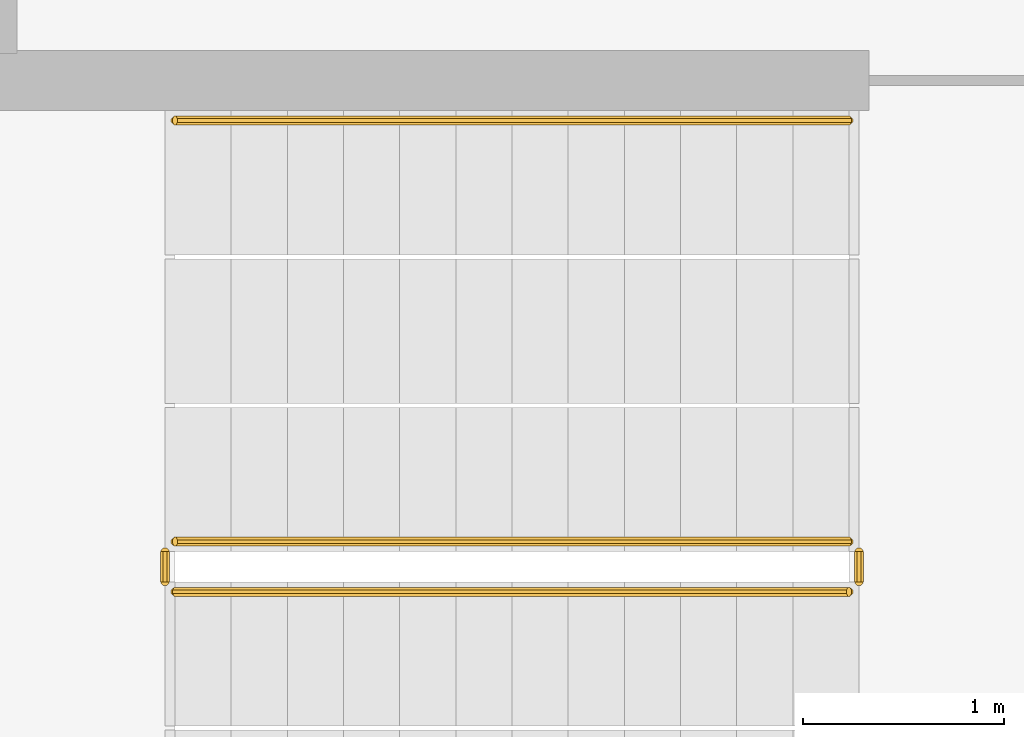
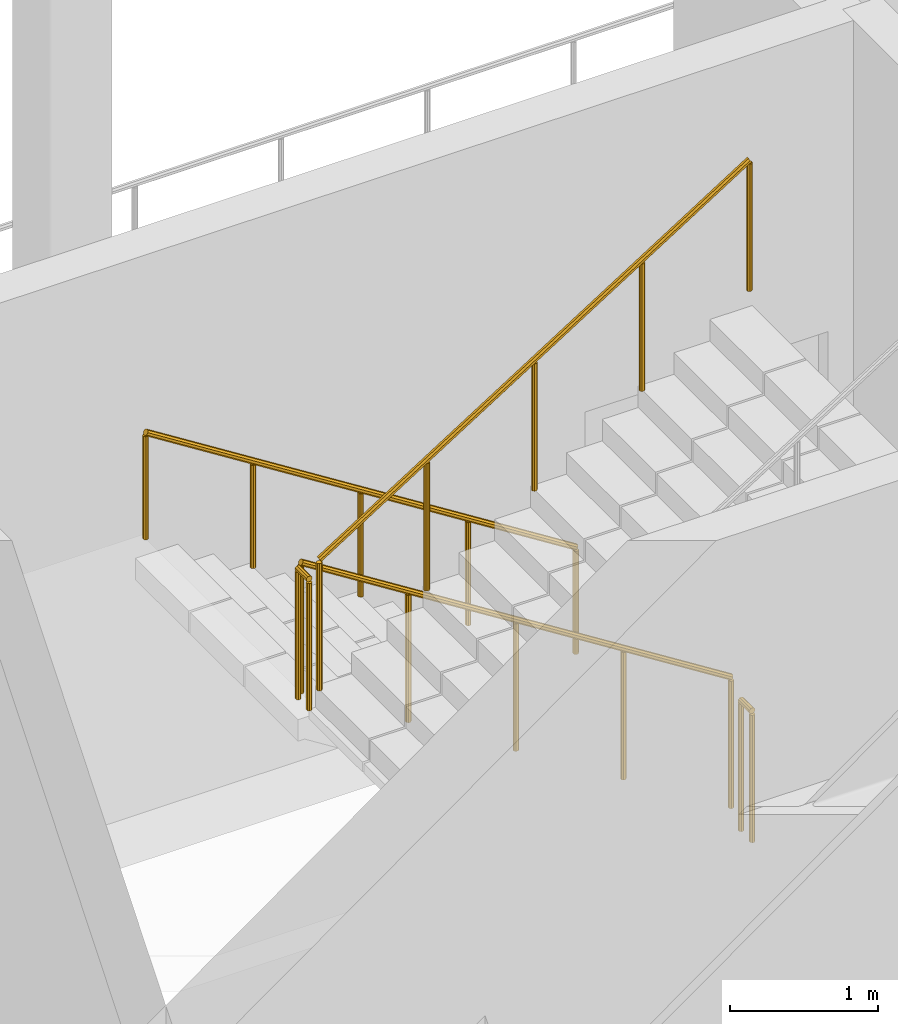
# One storey, part 23 of 32: 5 railings.
"""IFC4 building model written with IfcOpenShell, lengths in metres."""

from ifc_helpers import new_model, si_unit, direction, frame, origin, place, context, subcontext, project, spatial, polyline, outline, extrude, material, type_object, element, save


model = new_model("IFC4")

# Units and contexts
model_context = context("Model", 3, precision=1e-05, world=origin(), true_north=direction((0.0, 1.0)))
body_context = subcontext(model_context, "Body", "Model", "MODEL_VIEW")
ifc_project = project(units=[si_unit("LENGTHUNIT", "METRE"), si_unit("AREAUNIT", "SQUARE_METRE"), si_unit("VOLUMEUNIT", "CUBIC_METRE"), si_unit("PLANEANGLEUNIT", "RADIAN"), si_unit("MASSUNIT", "GRAM", prefix="KILO")], contexts=[model_context])

# Site, building, storey
site_placement = place(None, origin())
site = spatial("IfcSite", under=ifc_project, at=site_placement, CompositionType="ELEMENT")
building_placement = place(site_placement, origin())
building = spatial("IfcBuilding", under=site, at=building_placement, Name="Cormorant Relay Tower", CompositionType="ELEMENT")
storey_placement = place(building_placement, frame((0.0, 0.0, 66.199951171875)))
storey = spatial("IfcBuildingStorey", under=building, at=storey_placement, Name="L12", CompositionType="ELEMENT", Elevation=66.199951171875)

# Railings
ifc_material_1 = material(Name="Steel ASTM A572 Grade 50 (Fy 345 MPa)", Category="steel")
railing_type_1 = type_object("IfcRailingType", Name="Stair guard 1100", PredefinedType="GUARDRAIL", material=ifc_material_1)
railing_1_placement = place(storey_placement, frame((1.60009765625, -18.27490234375, 0.177001953125)))
element("IfcRailing", 1, at=railing_1_placement, inside=storey, type_object=railing_type_1, Name="L12 RK1 stair guard 1", PredefinedType="GUARDRAIL", context=body_context, shape_type="SweptSolid", body=[
    extrude(outline(polyline([(0.022216796875, 0.00927734375), (0.00927734375, 0.022216796875), (-0.00927734375, 0.022216796875), (-0.022216796875, 0.00927734375), (-0.022216796875, -0.00927734375), (-0.00927734375, -0.022216796875), (0.00927734375, -0.022216796875), (0.022216796875, -0.00927734375), (0.022216796875, 0.00927734375)])), frame((0.0, 0.0, 1.076171875), z_axis=(-0.845389635667, 0.0, 0.534150132366), x_axis=(0.0, -1.0, 0.0)), (0.0, 0.0, 1.0), 3.974609375),
    extrude(outline(polyline([(0.019287109375, 0.008056640625), (0.008056640625, 0.019287109375), (-0.008056640625, 0.019287109375), (-0.019287109375, 0.008056640625), (-0.019287109375, -0.008056640625), (-0.008056640625, -0.019287109375), (0.008056640625, -0.019287109375), (0.019287109375, -0.008056640625), (0.019287109375, 0.008056640625)])), origin(), (0.0, 0.0, 1.0), 1.052001953125),
    extrude(outline(polyline([(0.019287109375, 0.008056640625), (0.008056640625, 0.019287109375), (-0.008056640625, 0.019287109375), (-0.019287109375, 0.008056640625), (-0.019287109375, -0.008056640625), (-0.008056640625, -0.019287109375), (0.008056640625, -0.019287109375), (0.019287109375, -0.008056640625), (0.019287109375, 0.008056640625)])), frame((-0.840087890625, 0.0, 0.53076171875)), (0.0, 0.0, 1.0), 1.052001953125),
    extrude(outline(polyline([(0.019287109375, 0.008056640625), (0.008056640625, 0.019287109375), (-0.008056640625, 0.019287109375), (-0.019287109375, 0.008056640625), (-0.019287109375, -0.008056640625), (-0.008056640625, -0.019287109375), (0.008056640625, -0.019287109375), (0.019287109375, -0.008056640625), (0.019287109375, 0.008056640625)])), frame((-1.68017578125, 0.0, 1.0615234375)), (0.0, 0.0, 1.0), 1.052001953125),
    extrude(outline(polyline([(0.019287109375, 0.008056640625), (0.008056640625, 0.019287109375), (-0.008056640625, 0.019287109375), (-0.019287109375, 0.008056640625), (-0.019287109375, -0.008056640625), (-0.008056640625, -0.019287109375), (0.008056640625, -0.019287109375), (0.019287109375, -0.008056640625), (0.019287109375, 0.008056640625)])), frame((-2.52001953125, 0.0, 1.59228515625)), (0.0, 0.0, 1.0), 1.052001953125),
    extrude(outline(polyline([(0.019287109375, 0.008056640625), (0.008056640625, 0.019287109375), (-0.008056640625, 0.019287109375), (-0.019287109375, 0.008056640625), (-0.019287109375, -0.008056640625), (-0.008056640625, -0.019287109375), (0.008056640625, -0.019287109375), (0.019287109375, -0.008056640625), (0.019287109375, 0.008056640625)])), frame((-3.360107421875, 0.0, 2.123046875)), (0.0, 0.0, 1.0), 1.052001953125),
])
railing_2_placement = place(storey_placement, frame((-1.81005859375, -18.324951171875, 2.300048828125)))
element("IfcRailing", 2, at=railing_2_placement, inside=storey, type_object=railing_type_1, Name="L12 RK1 stair guard 2", PredefinedType="GUARDRAIL", context=body_context, shape_type="SweptSolid", body=[
    extrude(outline(polyline([(0.022216796875, 0.00927734375), (0.00927734375, 0.022216796875), (-0.00927734375, 0.022216796875), (-0.022216796875, 0.00927734375), (-0.022216796875, -0.00927734375), (-0.00927734375, -0.022216796875), (0.00927734375, -0.022216796875), (0.022216796875, -0.00927734375), (0.022216796875, 0.00927734375)])), frame((0.0, 0.0, 1.076171875), z_axis=(0.0, -1.0, 0.0), x_axis=(1.0, 0.0, 0.0)), (0.0, 0.0, 1.0), 0.150146484375),
    extrude(outline(polyline([(0.019287109375, 0.008056640625), (0.008056640625, 0.019287109375), (-0.008056640625, 0.019287109375), (-0.019287109375, 0.008056640625), (-0.019287109375, -0.008056640625), (-0.008056640625, -0.019287109375), (0.008056640625, -0.019287109375), (0.019287109375, -0.008056640625), (0.019287109375, 0.008056640625)])), origin(), (0.0, 0.0, 1.0), 1.052001953125),
    extrude(outline(polyline([(0.019287109375, 0.008056640625), (0.008056640625, 0.019287109375), (-0.008056640625, 0.019287109375), (-0.019287109375, 0.008056640625), (-0.019287109375, -0.008056640625), (-0.008056640625, -0.019287109375), (0.008056640625, -0.019287109375), (0.019287109375, -0.008056640625), (0.019287109375, 0.008056640625)])), frame((0.0, -0.150146484375, 0.0)), (0.0, 0.0, 1.0), 1.052001953125),
])
railing_3_placement = place(storey_placement, frame((-1.760009765625, -18.52490234375, 2.47705078125)))
element("IfcRailing", 3, at=railing_3_placement, inside=storey, type_object=railing_type_1, Name="L12 RK1 stair guard 3", PredefinedType="GUARDRAIL", context=body_context, shape_type="SweptSolid", body=[
    extrude(outline(polyline([(0.022216796875, 0.00927734375), (0.00927734375, 0.022216796875), (-0.00927734375, 0.022216796875), (-0.022216796875, 0.00927734375), (-0.022216796875, -0.00927734375), (-0.00927734375, -0.022216796875), (0.00927734375, -0.022216796875), (0.022216796875, -0.00927734375), (0.022216796875, 0.00927734375)])), frame((0.0, 0.0, 1.076171875), z_axis=(0.845389635667, 0.0, 0.534150132366), x_axis=(0.0, 1.0, 0.0)), (0.0, 0.0, 1.0), 3.974609375),
    extrude(outline(polyline([(0.019287109375, 0.008056640625), (0.008056640625, 0.019287109375), (-0.008056640625, 0.019287109375), (-0.019287109375, 0.008056640625), (-0.019287109375, -0.008056640625), (-0.008056640625, -0.019287109375), (0.008056640625, -0.019287109375), (0.019287109375, -0.008056640625), (0.019287109375, 0.008056640625)])), origin(), (0.0, 0.0, 1.0), 1.052001953125),
    extrude(outline(polyline([(0.019287109375, 0.008056640625), (0.008056640625, 0.019287109375), (-0.008056640625, 0.019287109375), (-0.019287109375, 0.008056640625), (-0.019287109375, -0.008056640625), (-0.008056640625, -0.019287109375), (0.008056640625, -0.019287109375), (0.019287109375, -0.008056640625), (0.019287109375, 0.008056640625)])), frame((0.840087890625, 0.0, 0.53076171875)), (0.0, 0.0, 1.0), 1.052001953125),
    extrude(outline(polyline([(0.019287109375, 0.008056640625), (0.008056640625, 0.019287109375), (-0.008056640625, 0.019287109375), (-0.019287109375, 0.008056640625), (-0.019287109375, -0.008056640625), (-0.008056640625, -0.019287109375), (0.008056640625, -0.019287109375), (0.019287109375, -0.008056640625), (0.019287109375, 0.008056640625)])), frame((1.68017578125, 0.0, 1.0615234375)), (0.0, 0.0, 1.0), 1.052001953125),
    extrude(outline(polyline([(0.019287109375, 0.008056640625), (0.008056640625, 0.019287109375), (-0.008056640625, 0.019287109375), (-0.019287109375, 0.008056640625), (-0.019287109375, -0.008056640625), (-0.008056640625, -0.019287109375), (0.008056640625, -0.019287109375), (0.019287109375, -0.008056640625), (0.019287109375, 0.008056640625)])), frame((2.52001953125, 0.0, 1.59228515625)), (0.0, 0.0, 1.0), 1.052001953125),
    extrude(outline(polyline([(0.019287109375, 0.008056640625), (0.008056640625, 0.019287109375), (-0.008056640625, 0.019287109375), (-0.019287109375, 0.008056640625), (-0.019287109375, -0.008056640625), (-0.008056640625, -0.019287109375), (0.008056640625, -0.019287109375), (0.019287109375, -0.008056640625), (0.019287109375, 0.008056640625)])), frame((3.360107421875, 0.0, 2.123046875)), (0.0, 0.0, 1.0), 1.052001953125),
])
railing_4_placement = place(storey_placement, frame((1.64990234375, -18.324951171875, 0.0)))
element("IfcRailing", 4, at=railing_4_placement, inside=storey, type_object=railing_type_1, Name="L12 RK1 stair guard 4", PredefinedType="GUARDRAIL", context=body_context, shape_type="SweptSolid", body=[
    extrude(outline(polyline([(0.022216796875, 0.00927734375), (0.00927734375, 0.022216796875), (-0.00927734375, 0.022216796875), (-0.022216796875, 0.00927734375), (-0.022216796875, -0.00927734375), (-0.00927734375, -0.022216796875), (0.00927734375, -0.022216796875), (0.022216796875, -0.00927734375), (0.022216796875, 0.00927734375)])), frame((0.0, 0.0, 1.076171875), z_axis=(0.0, -1.0, 0.0), x_axis=(1.0, 0.0, 0.0)), (0.0, 0.0, 1.0), 0.150146484375),
    extrude(outline(polyline([(0.019287109375, 0.008056640625), (0.008056640625, 0.019287109375), (-0.008056640625, 0.019287109375), (-0.019287109375, 0.008056640625), (-0.019287109375, -0.008056640625), (-0.008056640625, -0.019287109375), (0.008056640625, -0.019287109375), (0.019287109375, -0.008056640625), (0.019287109375, 0.008056640625)])), origin(), (0.0, 0.0, 1.0), 1.052001953125),
    extrude(outline(polyline([(0.019287109375, 0.008056640625), (0.008056640625, 0.019287109375), (-0.008056640625, 0.019287109375), (-0.019287109375, 0.008056640625), (-0.019287109375, -0.008056640625), (-0.008056640625, -0.019287109375), (0.008056640625, -0.019287109375), (0.019287109375, -0.008056640625), (0.019287109375, 0.008056640625)])), frame((0.0, -0.150146484375, 0.0)), (0.0, 0.0, 1.0), 1.052001953125),
])
ifc_material_2 = material(Name="Steel ASTM A572 Grade 50 (Fy 345 MPa)", Category="steel")
railing_type_2 = type_object("IfcRailingType", Name="Stair handrail 900", PredefinedType="HANDRAIL", material=ifc_material_2)
railing_5_placement = place(storey_placement, frame((1.60009765625, -16.175048828125, 0.177001953125)))
element("IfcRailing", 5, at=railing_5_placement, inside=storey, type_object=railing_type_2, Name="L12 RK1 stair handrail 1", PredefinedType="HANDRAIL", context=body_context, shape_type="SweptSolid", body=[
    extrude(outline(polyline([(0.022216796875, 0.00927734375), (0.00927734375, 0.022216796875), (-0.00927734375, 0.022216796875), (-0.022216796875, 0.00927734375), (-0.022216796875, -0.00927734375), (-0.00927734375, -0.022216796875), (0.00927734375, -0.022216796875), (0.022216796875, -0.00927734375), (0.022216796875, 0.00927734375)])), frame((0.0, 0.0, 0.8759765625), z_axis=(-0.845389635667, 0.0, 0.534150132366), x_axis=(0.0, -1.0, 0.0)), (0.0, 0.0, 1.0), 3.974609375),
    extrude(outline(polyline([(0.019287109375, 0.008056640625), (0.008056640625, 0.019287109375), (-0.008056640625, 0.019287109375), (-0.019287109375, 0.008056640625), (-0.019287109375, -0.008056640625), (-0.008056640625, -0.019287109375), (0.008056640625, -0.019287109375), (0.019287109375, -0.008056640625), (0.019287109375, 0.008056640625)])), origin(), (0.0, 0.0, 1.0), 0.851806640625),
    extrude(outline(polyline([(0.019287109375, 0.008056640625), (0.008056640625, 0.019287109375), (-0.008056640625, 0.019287109375), (-0.019287109375, 0.008056640625), (-0.019287109375, -0.008056640625), (-0.008056640625, -0.019287109375), (0.008056640625, -0.019287109375), (0.019287109375, -0.008056640625), (0.019287109375, 0.008056640625)])), frame((-0.840087890625, 0.0, 0.53076171875)), (0.0, 0.0, 1.0), 0.851806640625),
    extrude(outline(polyline([(0.019287109375, 0.008056640625), (0.008056640625, 0.019287109375), (-0.008056640625, 0.019287109375), (-0.019287109375, 0.008056640625), (-0.019287109375, -0.008056640625), (-0.008056640625, -0.019287109375), (0.008056640625, -0.019287109375), (0.019287109375, -0.008056640625), (0.019287109375, 0.008056640625)])), frame((-1.68017578125, 0.0, 1.0615234375)), (0.0, 0.0, 1.0), 0.851806640625),
    extrude(outline(polyline([(0.019287109375, 0.008056640625), (0.008056640625, 0.019287109375), (-0.008056640625, 0.019287109375), (-0.019287109375, 0.008056640625), (-0.019287109375, -0.008056640625), (-0.008056640625, -0.019287109375), (0.008056640625, -0.019287109375), (0.019287109375, -0.008056640625), (0.019287109375, 0.008056640625)])), frame((-2.52001953125, 0.0, 1.59228515625)), (0.0, 0.0, 1.0), 0.851806640625),
    extrude(outline(polyline([(0.019287109375, 0.008056640625), (0.008056640625, 0.019287109375), (-0.008056640625, 0.019287109375), (-0.019287109375, 0.008056640625), (-0.019287109375, -0.008056640625), (-0.008056640625, -0.019287109375), (0.008056640625, -0.019287109375), (0.019287109375, -0.008056640625), (0.019287109375, 0.008056640625)])), frame((-3.360107421875, 0.0, 2.123046875)), (0.0, 0.0, 1.0), 0.851806640625),
])

save(model, "model.ifc")
